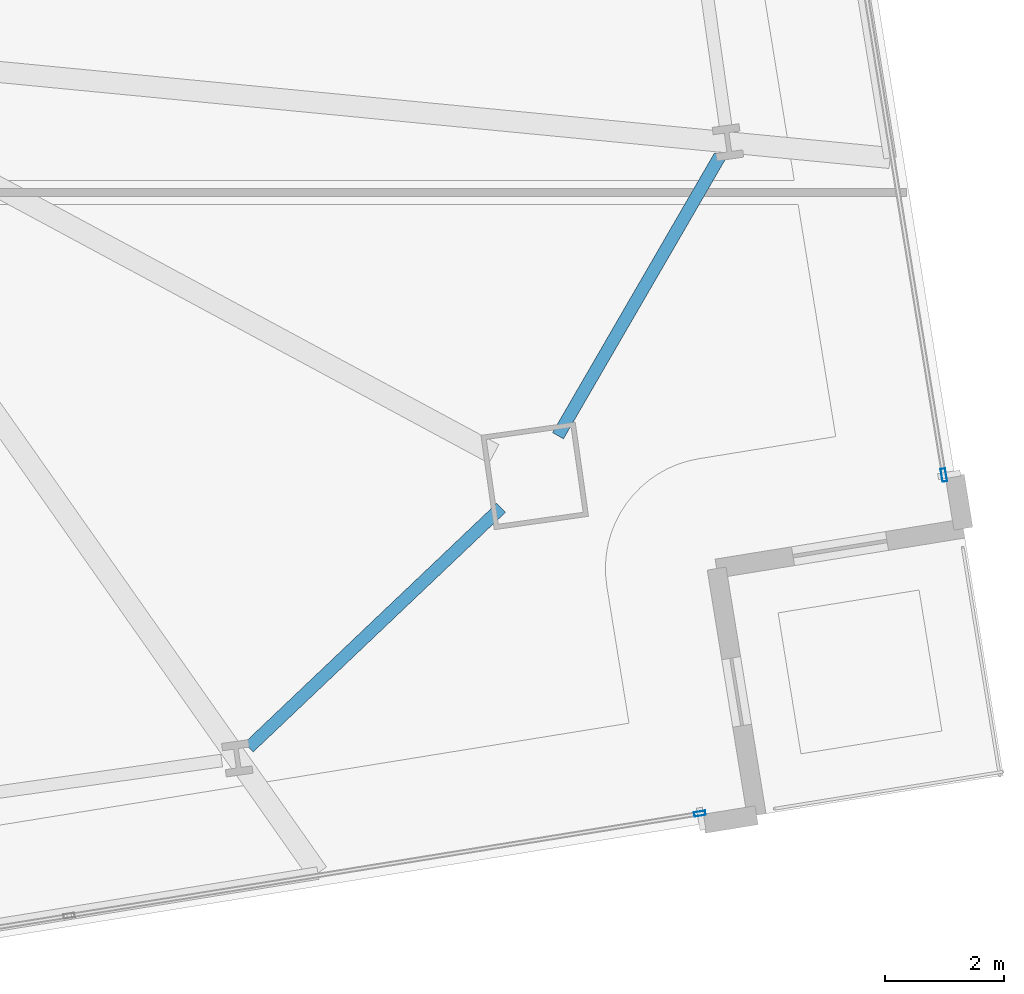
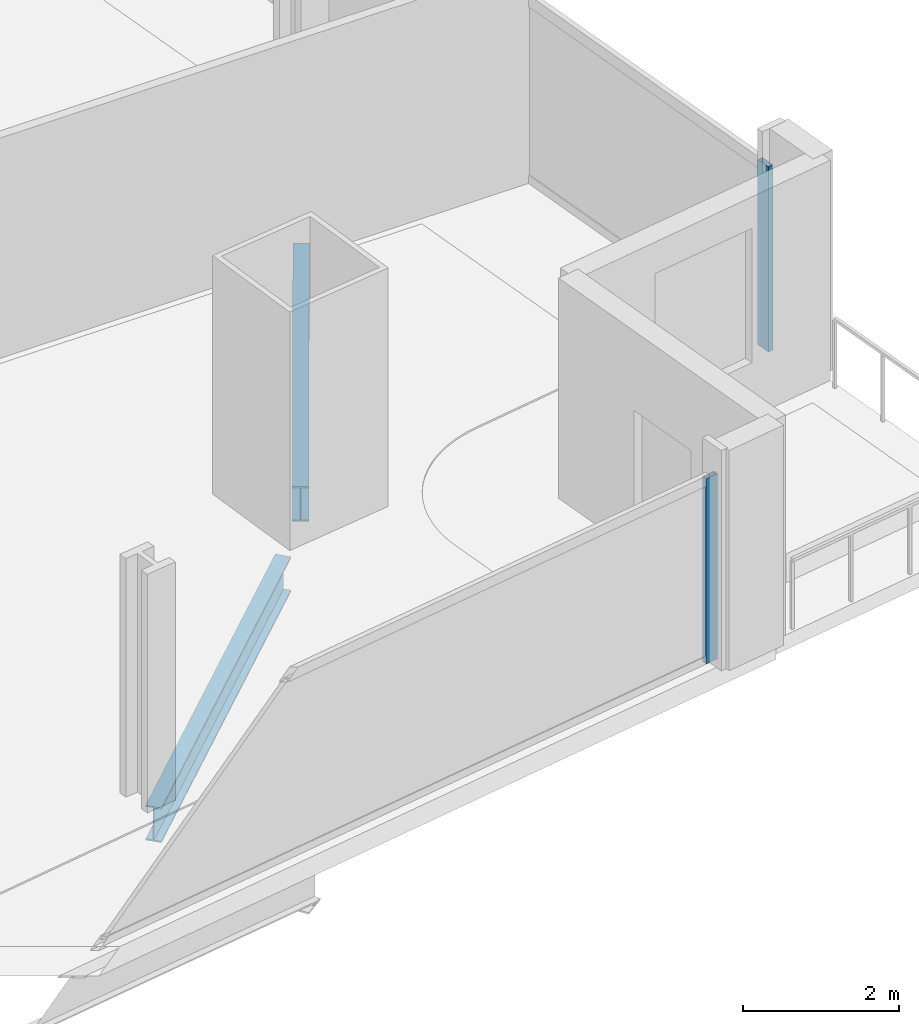
# One storey, part 11 of 33: 2 beams, 2 members, 2 elements without a shape of their own.
"""IFC4 building model written with IfcOpenShell, lengths in metres."""

from ifc_helpers import new_model, si_unit, direction, frame, origin, origin_2d, place, context, subcontext, project, spatial, hollow_rectangle, i_section, extrude, material, material_profile, profile_set, type_object, element, aggregate, save


model = new_model("IFC4")

# Units and contexts
model_context = context("Model", 3, precision=1e-05, world=origin(), true_north=direction((0.0, 1.0)))
body_context = subcontext(model_context, "Body", "Model", "MODEL_VIEW")
ifc_project = project(units=[si_unit("LENGTHUNIT", "METRE"), si_unit("AREAUNIT", "SQUARE_METRE"), si_unit("VOLUMEUNIT", "CUBIC_METRE"), si_unit("PLANEANGLEUNIT", "RADIAN"), si_unit("MASSUNIT", "GRAM", prefix="KILO")], contexts=[model_context])

# Site, building, storey
site_placement = place(None, origin())
site = spatial("IfcSite", under=ifc_project, at=site_placement, CompositionType="ELEMENT")
building_placement = place(site_placement, origin())
building = spatial("IfcBuilding", under=site, at=building_placement, Name="Haldenkirk Collegiate Tower", CompositionType="ELEMENT")
storey_placement = place(building_placement, frame((0.0, 0.0, 58.949951171875)))
storey = spatial("IfcBuildingStorey", under=building, at=storey_placement, Name="L13", CompositionType="ELEMENT", Elevation=58.949951171875)

# Beams
ifc_material_1 = material(Name="Steel ASTM A992 Grade 50", Category="steel")
ifc_material_profile_1 = material_profile(ifc_material_1, i_section(OverallWidth=0.2119140625, OverallDepth=0.5439453125, WebThickness=0.01318359375, FlangeThickness=0.021240234375, at=origin_2d()), Name="W21X83")
ifc_profile_set_1 = profile_set([ifc_material_profile_1], Name="Steel ASTM A992 Grade 50")
beam_type = type_object("IfcBeamType", Name="BM-SPANDREL-W21X83", PredefinedType="SPANDREL", material=ifc_profile_set_1)
beam_1_placement = place(storey_placement, frame((53.594482421875, 6.222412109375, -0.58203125), z_axis=(0.725113023209, 0.688629874151, 0.0), x_axis=(-0.688629874151, 0.725113023209, 0.0)))
element("IfcBeam", 1, at=beam_1_placement, inside=storey, type_object=beam_type, Name="L13 perimeter spandrel beam 04", PredefinedType="SPANDREL", context=body_context, shape_type="SweptSolid", body=[
    extrude(i_section(OverallWidth=0.2119140625, OverallDepth=0.5439453125, WebThickness=0.01318359375, FlangeThickness=0.021240234375, at=origin_2d()), origin(), (0.0, 0.0, 1.0), 5.8486328125),
])
beam_2_placement = place(storey_placement, frame((58.7919921875, 11.462158203125, -0.58203125), z_axis=(0.50120629055, 0.865327830543, 0.0), x_axis=(-0.865327830543, 0.50120629055, 0.0)))
element("IfcBeam", 2, at=beam_2_placement, inside=storey, type_object=beam_type, Name="L13 perimeter spandrel beam 05", PredefinedType="SPANDREL", context=body_context, shape_type="SweptSolid", body=[
    extrude(i_section(OverallWidth=0.2119140625, OverallDepth=0.5439453125, WebThickness=0.01318359375, FlangeThickness=0.021240234375, at=origin_2d()), origin(), (0.0, 0.0, 1.0), 5.43359375),
])

# Curtain wall, member
ifc_material_2 = material(Name="Anodised architectural bronze aluminium", Category="aluminium")
curtain_wall_type_1 = type_object("IfcCurtainWallType", Name="CW-SYS2-CONCAVE", PredefinedType="USERDEFINED", material=ifc_material_2)
curtain_wall_1_placement = place(storey_placement, origin())
curtain_wall_1 = element("IfcCurtainWall", 3, at=curtain_wall_1_placement, inside=storey, type_object=curtain_wall_type_1, Name="L13 South concave recessed bronze-anodised curtain wall", ObjectType="UNITISED CURTAIN WALL", PredefinedType="USERDEFINED")
ifc_material_profile_2 = material_profile(ifc_material_2, hollow_rectangle(XDim=0.074951171875, YDim=0.18994140625, WallThickness=0.0048828125, at=origin_2d()), Name="CW-MUL-02")
ifc_profile_set_2 = profile_set([ifc_material_profile_2], Name="Anodised architectural bronze aluminium")
member_type_1 = type_object("IfcMemberType", Name="CW-MUL-02", PredefinedType="MULLION", material=ifc_profile_set_2)
member_1_placement = place(storey_placement, frame((61.176025390625, 5.111572265625, 0.0), z_axis=(0.0, 0.0, 1.0), x_axis=(0.159881193222, -0.987136264177, 0.0)))
member_1 = element("IfcMember", 4, at=member_1_placement, type_object=member_type_1, Name="CW-02 mullion 1", PredefinedType="MULLION", context=body_context, shape_type="SweptSolid", body=[
    extrude(hollow_rectangle(XDim=0.074951171875, YDim=0.18994140625, WallThickness=0.0048828125, at=origin_2d()), origin(), (0.0, 0.0, 1.0), 2.89111328125),
])
aggregate(curtain_wall_1, [member_1])

curtain_wall_type_2 = type_object("IfcCurtainWallType", Name="CW-SYS1-CONVEX-LOW", PredefinedType="USERDEFINED", material=ifc_material_2)
curtain_wall_2_placement = place(storey_placement, origin())
curtain_wall_2 = element("IfcCurtainWall", 5, at=curtain_wall_2_placement, inside=storey, type_object=curtain_wall_type_2, Name="L13 Lower tower convex bronze-framed unitised curtain wall", ObjectType="UNITISED CURTAIN WALL", PredefinedType="USERDEFINED")
ifc_material_profile_3 = material_profile(ifc_material_2, hollow_rectangle(XDim=0.080078125, YDim=0.219970703125, WallThickness=0.0048828125, at=origin_2d()), Name="CW-MUL-1A")
ifc_profile_set_3 = profile_set([ifc_material_profile_3], Name="Anodised architectural bronze aluminium")
member_type_2 = type_object("IfcMemberType", Name="CW-MUL-1A", PredefinedType="MULLION", material=ifc_profile_set_3)
member_2_placement = place(storey_placement, frame((65.276611328125, 10.80029296875, 0.0), z_axis=(0.0, 0.0, 1.0), x_axis=(0.987136378374, 0.159880488152, 0.0)))
member_2 = element("IfcMember", 6, at=member_2_placement, type_object=member_type_2, Name="CW-1A mullion 5", PredefinedType="MULLION", context=body_context, shape_type="SweptSolid", body=[
    extrude(hollow_rectangle(XDim=0.080078125, YDim=0.219970703125, WallThickness=0.0048828125, at=origin_2d()), origin(), (0.0, 0.0, 1.0), 2.89111328125),
])
aggregate(curtain_wall_2, [member_2])

save(model, "model.ifc")
